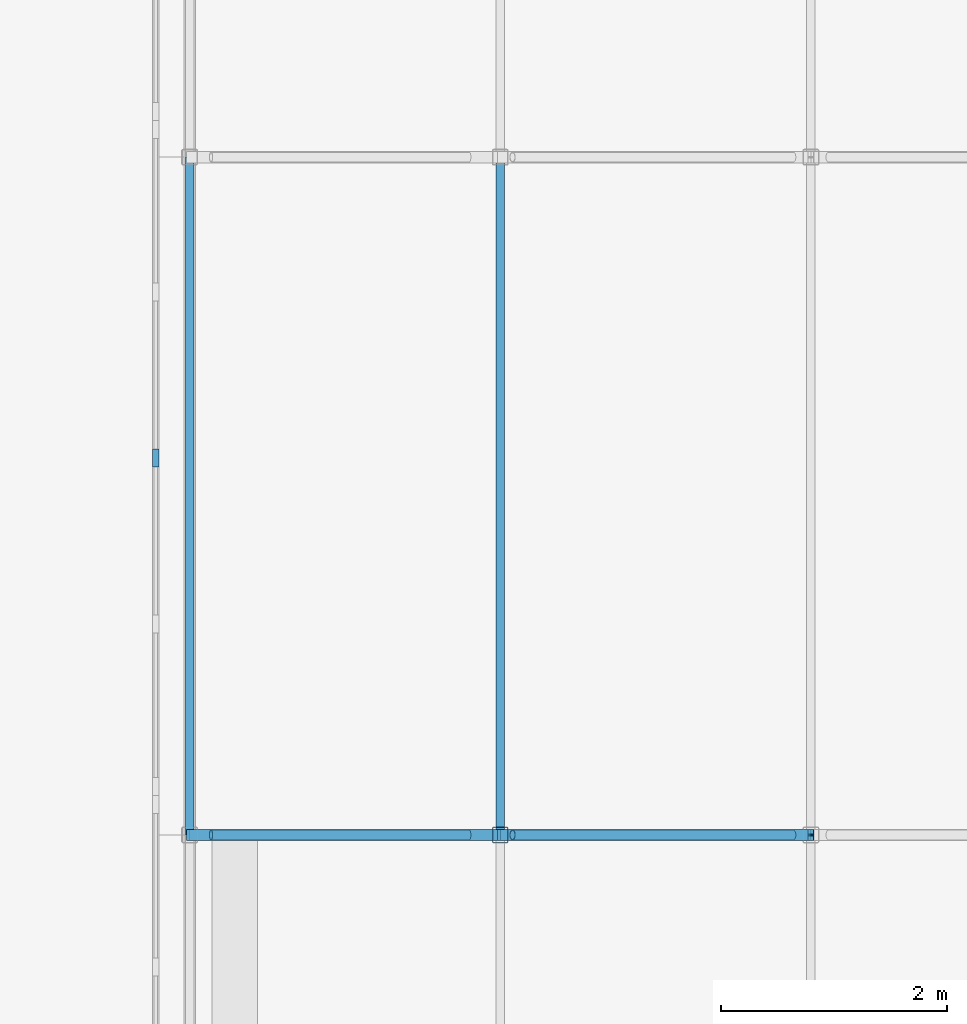
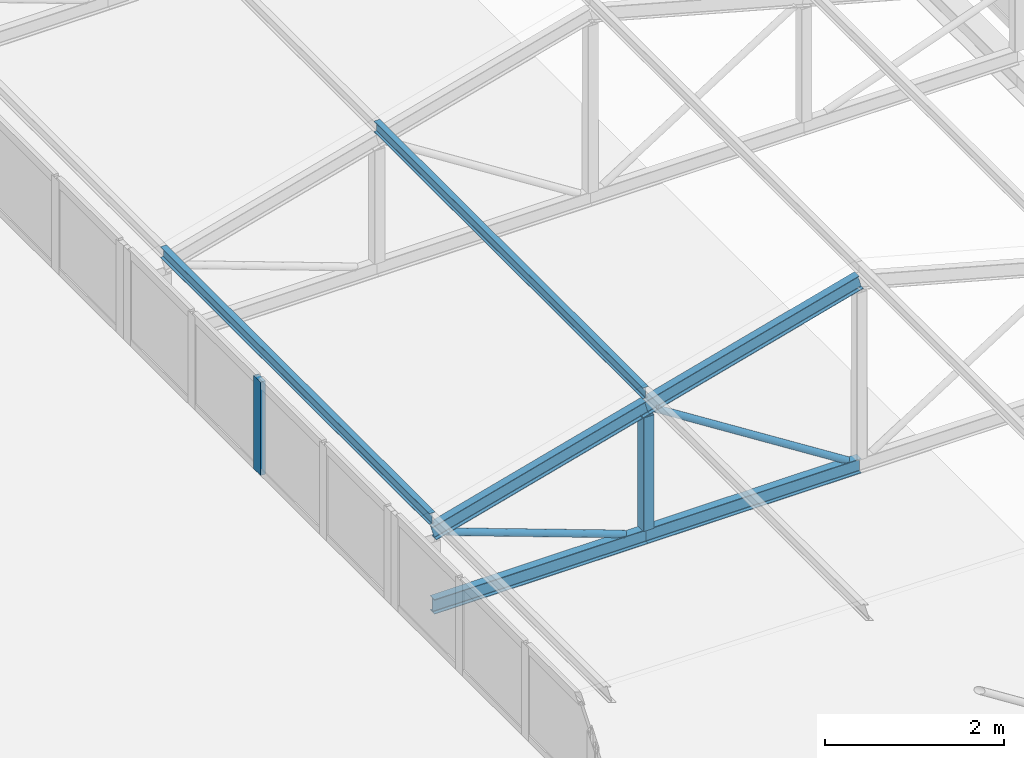
# One storey, part 4 of 94: 10 members, 1 element without a shape of its own.
"""IFC4 building model written with IfcOpenShell, lengths in metres."""

from ifc_helpers import new_model, si_unit, direction, frame, origin, origin_2d, place, context, subcontext, project, spatial, rectangle, hollow_rectangle, hollow_circle, i_section, extrude, material, layer, layer_set, material_profile, profile_set, type_object, element, aggregate, save


model = new_model("IFC4")

# Units and contexts
model_context = context("Model", 3, precision=1e-05, world=origin(), true_north=direction((0.0, 1.0)))
body_context = subcontext(model_context, "Body", "Model", "MODEL_VIEW")
ifc_project = project(units=[si_unit("LENGTHUNIT", "METRE"), si_unit("AREAUNIT", "SQUARE_METRE"), si_unit("VOLUMEUNIT", "CUBIC_METRE"), si_unit("PLANEANGLEUNIT", "RADIAN"), si_unit("MASSUNIT", "GRAM", prefix="KILO")], contexts=[model_context])

# Site, building, storey
site_placement = place(None, origin())
site = spatial("IfcSite", under=ifc_project, at=site_placement, CompositionType="ELEMENT")
building_placement = place(site_placement, origin())
building = spatial("IfcBuilding", under=site, at=building_placement, Name="Lilac Gate Convention Centre", CompositionType="ELEMENT")
storey_placement = place(building_placement, frame((0.0, 0.0, 21.0)))
storey = spatial("IfcBuildingStorey", under=building, at=storey_placement, Name="L04", CompositionType="ELEMENT", Elevation=21.0)

# Curtain wall, member
ifc_material_1 = material(Name="Aluminium framed double glazing", Category="aluminium")
ifc_layer = layer(ifc_material_1, 0.199951171875)
ifc_layer_set = layer_set([ifc_layer], Name="Aluminium framed double glazing")
curtain_wall_type = type_object("IfcCurtainWallType", Name="Unitised curtain wall 1500", PredefinedType="NOTDEFINED", material=ifc_layer_set)
curtain_wall_placement = place(storey_placement, origin())
curtain_wall = element("IfcCurtainWall", 1, at=curtain_wall_placement, inside=storey, type_object=curtain_wall_type, Name="Lantern clerestory W 3", PredefinedType="NOTDEFINED")
ifc_material_2 = material(Name="Aluminium alloy 6063", Category="aluminium")
ifc_material_profile_1 = material_profile(ifc_material_2, rectangle(XDim=0.06005859375, YDim=0.159912109375, at=origin_2d()), Name="Curtain wall mullion 60 x 160")
ifc_profile_set_1 = profile_set([ifc_material_profile_1], Name="Aluminium alloy 6063")
member_type_1 = type_object("IfcMemberType", Name="Curtain wall mullion 60 x 160", PredefinedType="MULLION", material=ifc_profile_set_1)
member_1_placement = place(storey_placement, frame((17.300048828125, 45.33740234375, 0.0), z_axis=(0.0, 0.0, 1.0), x_axis=(-1.0, 0.0, 0.0)))
member_1 = element("IfcMember", 2, at=member_1_placement, type_object=member_type_1, Name="CW mullion 3", PredefinedType="MULLION", context=body_context, shape_type="SweptSolid", body=[
    extrude(rectangle(XDim=0.06005859375, YDim=0.159912109375, at=origin_2d()), origin(), (0.0, 0.0, 1.0), 1.272216796875),
])
aggregate(curtain_wall, [member_1])

# Members
ifc_material_3 = material(Name="Steel Q355B", Category="steel")
ifc_material_profile_2 = material_profile(ifc_material_3, i_section(OverallWidth=0.10009765625, OverallDepth=0.199951171875, WebThickness=0.005615234375, FlangeThickness=0.008056640625, FilletRadius=0.008056640625, at=origin_2d()), Name="HN200x100x5.5x8")
ifc_profile_set_2 = profile_set([ifc_material_profile_2], Name="Steel Q355B")
member_type_2 = type_object("IfcMemberType", Name="Lantern bottom chord HN200x100x5.5x8", PredefinedType="CHORD", material=ifc_profile_set_2)
for number, where, z_axis, x_axis, name in (
    (3, (17.60009765625, 42.0, 0.10009765625), (1.0, 0.0, 0.0), (0.0, 1.0, 0.0), "LB1 lantern truss 3 bottom chord 1"),
    (4, (20.35009765625, 42.0, 0.10009765625), (1.0, 0.0, 0.0), (0.0, 1.0, 0.0), "LB1 lantern truss 3 bottom chord 2"),
):
    element("IfcMember", number, at=place(storey_placement, frame(where, z_axis=z_axis, x_axis=x_axis)), inside=storey, type_object=member_type_2, Name=name, PredefinedType="CHORD", context=body_context, shape_type="SweptSolid", body=[
        extrude(i_section(OverallWidth=0.10009765625, OverallDepth=0.199951171875, WebThickness=0.005615234375, FlangeThickness=0.008056640625, FilletRadius=0.008056640625, at=origin_2d()), origin(), (0.0, 0.0, 1.0), 2.75),
    ])
ifc_material_profile_3 = material_profile(ifc_material_3, hollow_circle(Radius=0.04443359375, WallThickness=0.0048828125, at=origin_2d()), Name="CHS88.9x5")
ifc_profile_set_3 = profile_set([ifc_material_profile_3], Name="Steel Q355B")
member_type_3 = type_object("IfcMemberType", Name="Lantern diagonal CHS88.9x5", PredefinedType="BRACE", material=ifc_profile_set_3)
member_2_placement = place(storey_placement, frame((17.789794921875, 42.0, 1.031005859375), z_axis=(0.939781696917, 0.0, -0.341775309434), x_axis=(0.0, 1.0, 0.0)))
element("IfcMember", 5, at=member_2_placement, inside=storey, type_object=member_type_3, Name="LW1 lantern truss 3 diagonal 1", PredefinedType="BRACE", context=body_context, shape_type="SweptSolid", body=[
    extrude(hollow_circle(Radius=0.04443359375, WallThickness=0.0048828125, at=origin_2d()), origin(), (0.0, 0.0, 1.0), 2.431640625),
])
member_3_placement = place(storey_placement, frame((20.45849609375, 42.0, 1.781005859375), z_axis=(0.843647832412, 0.0, -0.536896949951), x_axis=(0.0, 1.0, 0.0)))
element("IfcMember", 6, at=member_3_placement, inside=storey, type_object=member_type_3, Name="LW1 lantern truss 3 diagonal 2", PredefinedType="BRACE", context=body_context, shape_type="SweptSolid", body=[
    extrude(hollow_circle(Radius=0.04443359375, WallThickness=0.0048828125, at=origin_2d()), origin(), (0.0, 0.0, 1.0), 2.94482421875),
])
ifc_material_profile_4 = material_profile(ifc_material_3, hollow_rectangle(XDim=0.139892578125, YDim=0.139892578125, WallThickness=0.0048828125, InnerFilletRadius=0.0048828125, OuterFilletRadius=0.010009765625, at=origin_2d()), Name="SHS140x140x5")
ifc_profile_set_4 = profile_set([ifc_material_profile_4], Name="Steel Q355B")
member_type_4 = type_object("IfcMemberType", Name="Lantern post SHS140x140x5", PredefinedType="STRUT", material=ifc_profile_set_4)
member_4_placement = place(storey_placement, frame((20.35009765625, 42.0, 0.199951171875), z_axis=(0.0, 0.0, 1.0), x_axis=(1.0, 0.0, 0.0)))
element("IfcMember", 7, at=member_4_placement, inside=storey, type_object=member_type_4, Name="LV1 lantern truss 3 post 2", PredefinedType="STRUT", context=body_context, shape_type="SweptSolid", body=[
    extrude(hollow_rectangle(XDim=0.139892578125, YDim=0.139892578125, WallThickness=0.0048828125, InnerFilletRadius=0.0048828125, OuterFilletRadius=0.010009765625, at=origin_2d()), origin(), (0.0, 0.0, 1.0), 1.546142578125),
])
ifc_material_profile_5 = material_profile(ifc_material_3, i_section(OverallWidth=0.074951171875, OverallDepth=0.14990234375, WebThickness=0.0048828125, FlangeThickness=0.007080078125, FilletRadius=0.008056640625, at=origin_2d()), Name="HN150x75x5x7")
ifc_profile_set_5 = profile_set([ifc_material_profile_5], Name="Steel Q355B")
member_type_5 = type_object("IfcMemberType", Name="Lantern purlin HN150x75x5x7", PredefinedType="PURLIN", material=ifc_profile_set_5)
for number, where, z_axis, x_axis, name in (
    (8, (17.60009765625, 42.0, 1.279052734375), (0.0, 1.0, 0.0), (-1.0, 0.0, 0.0), "LP1 lantern purlin bay 3 line 1"),
    (9, (20.35009765625, 42.0, 2.029052734375), (0.0, 1.0, 0.0), (-1.0, 0.0, 0.0), "LP1 lantern purlin bay 3 line 2"),
):
    element("IfcMember", number, at=place(storey_placement, frame(where, z_axis=z_axis, x_axis=x_axis)), inside=storey, type_object=member_type_5, Name=name, PredefinedType="PURLIN", context=body_context, shape_type="SweptSolid", body=[
        extrude(i_section(OverallWidth=0.074951171875, OverallDepth=0.14990234375, WebThickness=0.0048828125, FlangeThickness=0.007080078125, FilletRadius=0.008056640625, at=origin_2d()), origin(), (0.0, 0.0, 1.0), 6.0),
    ])
ifc_material_profile_6 = material_profile(ifc_material_3, i_section(OverallWidth=0.10009765625, OverallDepth=0.199951171875, WebThickness=0.005615234375, FlangeThickness=0.008056640625, FilletRadius=0.008056640625, at=origin_2d()), Name="HN200x100x5.5x8")
ifc_profile_set_6 = profile_set([ifc_material_profile_6], Name="Steel Q355B")
member_type_6 = type_object("IfcMemberType", Name="Lantern top chord HN200x100x5.5x8", PredefinedType="CHORD", material=ifc_profile_set_6)
for number, where, z_axis, x_axis, name in (
    (10, (17.60009765625, 42.0, 1.10009765625), (0.964763821238, 0.0, 0.263117405792), (0.0, 1.0, 0.0), "LT1 lantern truss 3 top chord 1"),
    (11, (20.35009765625, 42.0, 1.85009765625), (0.964763821238, 0.0, 0.263117405792), (0.0, 1.0, 0.0), "LT1 lantern truss 3 top chord 2"),
):
    element("IfcMember", number, at=place(storey_placement, frame(where, z_axis=z_axis, x_axis=x_axis)), inside=storey, type_object=member_type_6, Name=name, PredefinedType="CHORD", context=body_context, shape_type="SweptSolid", body=[
        extrude(i_section(OverallWidth=0.10009765625, OverallDepth=0.199951171875, WebThickness=0.005615234375, FlangeThickness=0.008056640625, FilletRadius=0.008056640625, at=origin_2d()), origin(), (0.0, 0.0, 1.0), 2.850341796875),
    ])

save(model, "model.ifc")
